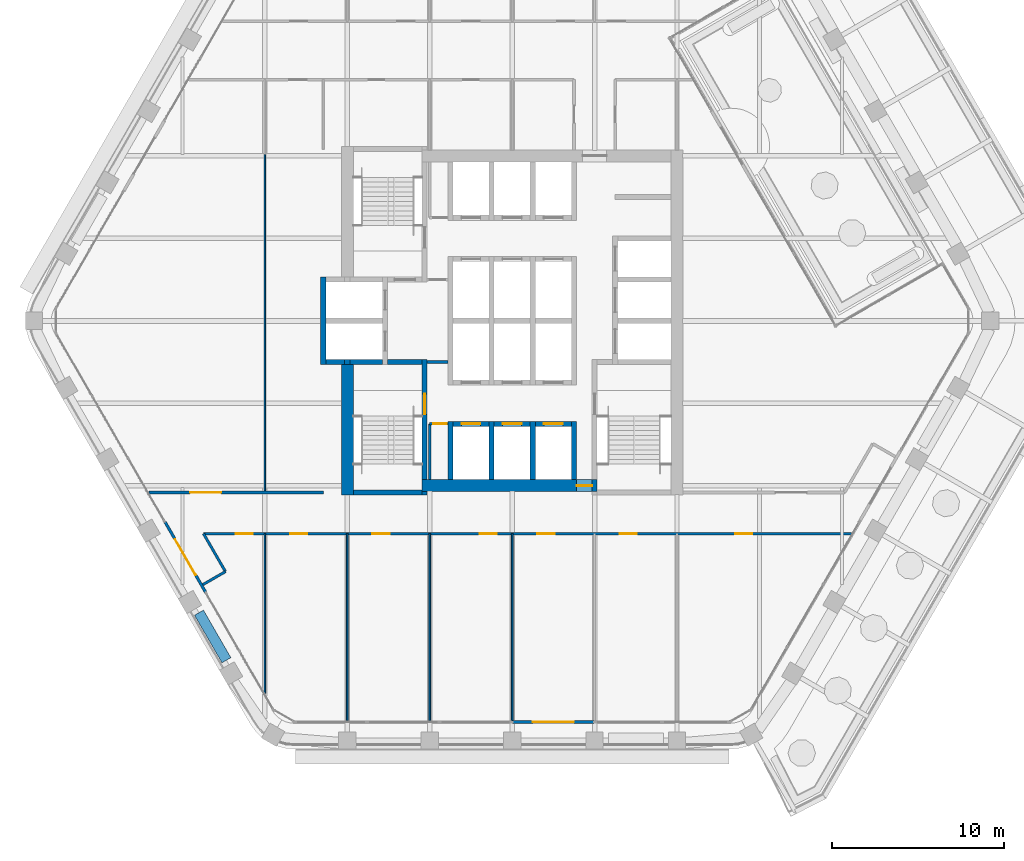
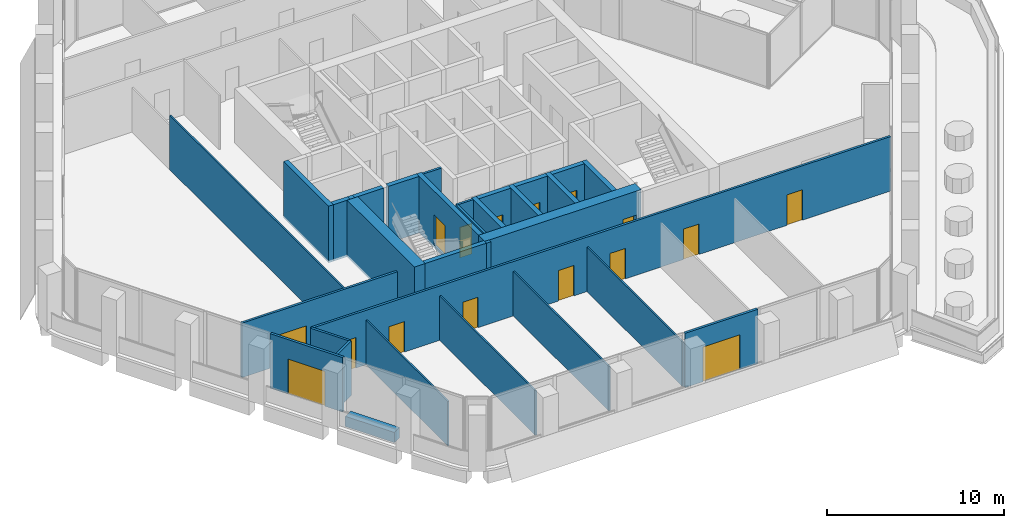
# One storey, part 11 of 17: 32 walls, 16 doors, 16 openings.
"""IFC4 building model written with IfcOpenShell, lengths in metres."""

from ifc_helpers import new_model, si_unit, direction, frame, frame_2d, origin, place, context, subcontext, project, spatial, rectangle, extrude, material, layer, layer_set, type_object, element, fill, save


model = new_model("IFC4")

# Units and contexts
model_context = context("Model", 3, precision=1e-05, world=origin(), true_north=direction((0.0, 1.0)))
body_context = subcontext(model_context, "Body", "Model", "MODEL_VIEW")
ifc_project = project(units=[si_unit("LENGTHUNIT", "METRE"), si_unit("AREAUNIT", "SQUARE_METRE"), si_unit("VOLUMEUNIT", "CUBIC_METRE"), si_unit("PLANEANGLEUNIT", "RADIAN"), si_unit("MASSUNIT", "GRAM", prefix="KILO")], contexts=[model_context])

# Site, building, storey
site_placement = place(None, origin())
site = spatial("IfcSite", under=ifc_project, at=site_placement, CompositionType="ELEMENT")
building_placement = place(site_placement, origin())
building = spatial("IfcBuilding", under=site, at=building_placement, Name="Kolab Exchange Tower", CompositionType="ELEMENT")
storey_placement = place(building_placement, frame((0.0, 0.0, 181.699951171875)))
storey = spatial("IfcBuildingStorey", under=building, at=storey_placement, Name="L38", CompositionType="ELEMENT", Elevation=181.699951171875)

# Wall, opening, door
ifc_material_1 = material(Name="Concrete C60/75", Category="concrete")
ifc_layer_1 = layer(ifc_material_1, 0.699951171875)
ifc_layer_set_1 = layer_set([ifc_layer_1], Name="Concrete C60/75")
wall_type_1 = type_object("IfcWallType", Name="CORE WALL 700 C60/75", PredefinedType="SHEAR", material=ifc_layer_set_1)
wall_1_placement = place(storey_placement, frame((-5.25, -9.60009765625, -0.14990234375), z_axis=(0.0, 0.0, 1.0), x_axis=(1.0, 0.0, 0.0)))
wall_1 = element("IfcWall", 1, at=wall_1_placement, inside=storey, type_object=wall_type_1, Name="wall/L38/core/002", PredefinedType="SHEAR", context=body_context, shape_type="SweptSolid", body=[
    extrude(rectangle(XDim=10.199951171875, YDim=0.699951171875, at=frame_2d((5.10009765625, 0.0))), origin(), (0.0, 0.0, 1.0), 3.89990234375),
])
opening_1_placement = place(wall_1_placement, frame((9.0, 0.0, 0.14990234375)))
opening_1 = element("IfcOpeningElement", 2, at=opening_1_placement, cuts=wall_1, Name="Opening D6-287", PredefinedType="OPENING", context=body_context, shape_type="SweptSolid", body=[
    extrude(rectangle(XDim=0.89990234375, YDim=2.10009765625, at=frame_2d((0.449951171875, 1.050048828125))), frame((0.0, 0.35986328125, 0.0), z_axis=(0.0, -1.0, 0.0), x_axis=(1.0, 0.0, 0.0)), (0.0, 0.0, 1.0), 0.719970703125),
])
ifc_material_2 = material(Name="Steel S235", Category="steel")
door_type_1 = type_object("IfcDoorType", Name="CORE DOOR 900 EI 120", OperationType="SINGLE_SWING_LEFT", PredefinedType="DOOR", material=ifc_material_2)
door_1_placement = place(opening_1_placement, origin())
door_1 = element("IfcDoor", 3, at=door_1_placement, inside=storey, type_object=door_type_1, Name="Core lobby door", OperationType="SINGLE_SWING_LEFT", OverallHeight=2.10009765625, OverallWidth=0.89990234375, PredefinedType="DOOR", context=body_context, shape_type="SweptSolid", body=[
    extrude(rectangle(XDim=0.89990234375, YDim=2.10009765625, at=frame_2d((0.449951171875, 1.050048828125))), frame((0.0, 0.02490234375, 0.0), z_axis=(0.0, -1.0, 0.0), x_axis=(1.0, 0.0, 0.0)), (0.0, 0.0, 1.0), 0.050048828125),
])
fill(opening_1, door_1)

# Wall
wall_2_placement = place(storey_placement, frame((-9.60009765625, -10.14990234375, -0.14990234375), z_axis=(0.0, 0.0, 1.0), x_axis=(0.0, 1.0, 0.0)))
element("IfcWall", 4, at=wall_2_placement, inside=storey, type_object=wall_type_1, Name="wall/L38/core/034", PredefinedType="SHEAR", context=body_context, shape_type="SweptSolid", body=[
    extrude(rectangle(XDim=7.599853515625, YDim=0.699951171875, at=frame_2d((3.7998046875, 0.0))), origin(), (0.0, 0.0, 1.0), 3.89990234375),
])

# Wall, opening, door
ifc_material_3 = material(Name="Aluminium EN AW-6063 T6", Category="aluminium")
ifc_layer_2 = layer(ifc_material_3, 0.159912109375)
ifc_layer_set_2 = layer_set([ifc_layer_2], Name="Aluminium EN AW-6063 T6")
wall_type_2 = type_object("IfcWallType", Name="DOOR SURROUND WALL 160 ALUMINIUM FRAMED", PredefinedType="PARTITIONING", material=ifc_layer_set_2)
wall_3_placement = place(storey_placement, frame((4.77001953125, -23.361572265625, 0.0), z_axis=(0.0, 0.0, 1.0), x_axis=(-1.0, 0.0, 0.0)))
wall_3 = element("IfcWall", 5, at=wall_3_placement, inside=storey, type_object=wall_type_2, Name="Door surround wall", PredefinedType="PARTITIONING", context=body_context, shape_type="SweptSolid", body=[
    extrude(rectangle(XDim=4.739990234375, YDim=0.159912109375, at=frame_2d((2.3701171875, 0.0))), origin(), (0.0, 0.0, 1.0), 3.75),
])
opening_2_placement = place(wall_3_placement, frame((1.169921875, 0.0, 0.0)))
opening_2 = element("IfcOpeningElement", 6, at=opening_2_placement, cuts=wall_3, Name="Opening GD1-067", PredefinedType="OPENING", context=body_context, shape_type="SweptSolid", body=[
    extrude(rectangle(XDim=2.39990234375, YDim=2.39990234375, at=frame_2d((1.199951171875, 1.199951171875))), frame((0.0, 0.08984375, 0.0), z_axis=(0.0, -1.0, 0.0), x_axis=(1.0, 0.0, 0.0)), (0.0, 0.0, 1.0), 0.179931640625),
])
door_type_2 = type_object("IfcDoorType", Name="LOGGIA SLIDING GLASS DOOR 2400 X 2400", OperationType="DOUBLE_DOOR_SINGLE_SWING", PredefinedType="DOOR", material=ifc_material_3)
door_2_placement = place(opening_2_placement, origin())
door_2 = element("IfcDoor", 7, at=door_2_placement, inside=storey, type_object=door_type_2, Name="Loggia door", OperationType="DOUBLE_DOOR_SLIDING", OverallHeight=2.39990234375, OverallWidth=2.39990234375, PredefinedType="DOOR", context=body_context, shape_type="SweptSolid", body=[
    extrude(rectangle(XDim=2.39990234375, YDim=2.39990234375, at=frame_2d((1.199951171875, 1.199951171875))), frame((0.0, 0.02490234375, 0.0), z_axis=(0.0, -1.0, 0.0), x_axis=(1.0, 0.0, 0.0)), (0.0, 0.0, 1.0), 0.050048828125),
])
fill(opening_2, door_2)

wall_4_placement = place(storey_placement, frame((-17.8466796875, -15.811767578125, 0.0), z_axis=(0.0, 0.0, 1.0), x_axis=(-0.5000167099, 0.866015756104, 0.0)))
wall_4 = element("IfcWall", 8, at=wall_4_placement, inside=storey, type_object=wall_type_2, Name="Door surround wall", PredefinedType="PARTITIONING", context=body_context, shape_type="SweptSolid", body=[
    extrude(rectangle(XDim=4.739990234375, YDim=0.159912109375, at=frame_2d((2.3701171875, 0.0))), origin(), (0.0, 0.0, 1.0), 3.75),
])
opening_3_placement = place(wall_4_placement, frame((1.169921875, 0.0, 0.0)))
opening_3 = element("IfcOpeningElement", 9, at=opening_3_placement, cuts=wall_4, Name="Opening GD1-068", PredefinedType="OPENING", context=body_context, shape_type="SweptSolid", body=[
    extrude(rectangle(XDim=2.39990234375, YDim=2.39990234375, at=frame_2d((1.199951171875, 1.199951171875))), frame((0.0, 0.08984375, 0.0), z_axis=(0.0, -1.0, 0.0), x_axis=(1.0, 0.0, 0.0)), (0.0, 0.0, 1.0), 0.179931640625),
])
door_3_placement = place(opening_3_placement, origin())
door_3 = element("IfcDoor", 10, at=door_3_placement, inside=storey, type_object=door_type_2, Name="Loggia door", OperationType="DOUBLE_DOOR_SLIDING", OverallHeight=2.39990234375, OverallWidth=2.39990234375, PredefinedType="DOOR", context=body_context, shape_type="SweptSolid", body=[
    extrude(rectangle(XDim=2.39990234375, YDim=2.39990234375, at=frame_2d((1.199951171875, 1.199951171875))), frame((0.0, 0.02490234375, 0.0), z_axis=(0.0, -1.0, 0.0), x_axis=(1.0, 0.0, 0.0)), (0.0, 0.0, 1.0), 0.050048828125),
])
fill(opening_3, door_3)

ifc_material_4 = material(Name="Concrete C50/60", Category="concrete")
ifc_layer_3 = layer(ifc_material_4, 0.300048828125)
ifc_layer_set_3 = layer_set([ifc_layer_3], Name="Concrete C50/60")
wall_type_3 = type_object("IfcWallType", Name="LIFT SHAFT WALL 300 C50/60", PredefinedType="STANDARD", material=ifc_layer_set_3)
wall_5_placement = place(storey_placement, frame((-3.449951171875, -6.0, -0.14990234375), z_axis=(0.0, 0.0, 1.0), x_axis=(1.0, 0.0, 0.0)))
wall_5 = element("IfcWall", 11, at=wall_5_placement, inside=storey, type_object=wall_type_3, Name="wall/L38/core/003", PredefinedType="STANDARD", context=body_context, shape_type="SweptSolid", body=[
    extrude(rectangle(XDim=2.099853515625, YDim=0.300048828125, at=frame_2d((1.0498046875, 0.0))), origin(), (0.0, 0.0, 1.0), 3.89990234375),
])
opening_4_placement = place(wall_5_placement, frame((0.5, 0.0, 0.14990234375)))
opening_4 = element("IfcOpeningElement", 12, at=opening_4_placement, cuts=wall_5, Name="Opening LD1-110", PredefinedType="OPENING", context=body_context, shape_type="SweptSolid", body=[
    extrude(rectangle(XDim=1.10009765625, YDim=2.10009765625, at=frame_2d((0.550048828125, 1.050048828125))), frame((0.0, 0.16015625, 0.0), z_axis=(0.0, -1.0, 0.0), x_axis=(1.0, 0.0, 0.0)), (0.0, 0.0, 1.0), 0.320068359375),
])
ifc_material_5 = material(Name="Stainless steel 316", Category="steel")
door_type_3 = type_object("IfcDoorType", Name="LANDING DOOR 1100 PASSENGER", OperationType="DOUBLE_DOOR_SLIDING", PredefinedType="DOOR", material=ifc_material_5)
door_4_placement = place(opening_4_placement, origin())
door_4 = element("IfcDoor", 13, at=door_4_placement, inside=storey, type_object=door_type_3, Name="Landing door HR10", OperationType="DOUBLE_DOOR_SLIDING", OverallHeight=2.10009765625, OverallWidth=1.10009765625, PredefinedType="DOOR", context=body_context, shape_type="SweptSolid", body=[
    extrude(rectangle(XDim=1.10009765625, YDim=2.10009765625, at=frame_2d((0.550048828125, 1.050048828125))), frame((0.0, 0.02490234375, 0.0), z_axis=(0.0, -1.0, 0.0), x_axis=(1.0, 0.0, 0.0)), (0.0, 0.0, 1.0), 0.050048828125),
])
fill(opening_4, door_4)

wall_6_placement = place(storey_placement, frame((-1.050048828125, -6.0, -0.14990234375), z_axis=(0.0, 0.0, 1.0), x_axis=(1.0, 0.0, 0.0)))
wall_6 = element("IfcWall", 14, at=wall_6_placement, inside=storey, type_object=wall_type_3, Name="wall/L38/core/004", PredefinedType="STANDARD", context=body_context, shape_type="SweptSolid", body=[
    extrude(rectangle(XDim=2.10009765625, YDim=0.300048828125, at=frame_2d((1.050048828125, 0.0))), origin(), (0.0, 0.0, 1.0), 3.89990234375),
])
opening_5_placement = place(wall_6_placement, frame((0.5, 0.0, 0.14990234375)))
opening_5 = element("IfcOpeningElement", 15, at=opening_5_placement, cuts=wall_6, Name="Opening LD1-111", PredefinedType="OPENING", context=body_context, shape_type="SweptSolid", body=[
    extrude(rectangle(XDim=1.10009765625, YDim=2.10009765625, at=frame_2d((0.550048828125, 1.050048828125))), frame((0.0, 0.16015625, 0.0), z_axis=(0.0, -1.0, 0.0), x_axis=(1.0, 0.0, 0.0)), (0.0, 0.0, 1.0), 0.320068359375),
])
door_5_placement = place(opening_5_placement, origin())
door_5 = element("IfcDoor", 16, at=door_5_placement, inside=storey, type_object=door_type_3, Name="Landing door HR11", OperationType="DOUBLE_DOOR_SLIDING", OverallHeight=2.10009765625, OverallWidth=1.10009765625, PredefinedType="DOOR", context=body_context, shape_type="SweptSolid", body=[
    extrude(rectangle(XDim=1.10009765625, YDim=2.10009765625, at=frame_2d((0.550048828125, 1.050048828125))), frame((0.0, 0.02490234375, 0.0), z_axis=(0.0, -1.0, 0.0), x_axis=(1.0, 0.0, 0.0)), (0.0, 0.0, 1.0), 0.050048828125),
])
fill(opening_5, door_5)

wall_7_placement = place(storey_placement, frame((1.35009765625, -6.0, -0.14990234375), z_axis=(0.0, 0.0, 1.0), x_axis=(1.0, 0.0, 0.0)))
wall_7 = element("IfcWall", 17, at=wall_7_placement, inside=storey, type_object=wall_type_3, Name="wall/L38/core/005", PredefinedType="STANDARD", context=body_context, shape_type="SweptSolid", body=[
    extrude(rectangle(XDim=2.099853515625, YDim=0.300048828125, at=frame_2d((1.0498046875, 0.0))), origin(), (0.0, 0.0, 1.0), 3.89990234375),
])
opening_6_placement = place(wall_7_placement, frame((0.5, 0.0, 0.14990234375)))
opening_6 = element("IfcOpeningElement", 18, at=opening_6_placement, cuts=wall_7, Name="Opening LD1-112", PredefinedType="OPENING", context=body_context, shape_type="SweptSolid", body=[
    extrude(rectangle(XDim=1.10009765625, YDim=2.10009765625, at=frame_2d((0.550048828125, 1.050048828125))), frame((0.0, 0.16015625, 0.0), z_axis=(0.0, -1.0, 0.0), x_axis=(1.0, 0.0, 0.0)), (0.0, 0.0, 1.0), 0.320068359375),
])
door_6_placement = place(opening_6_placement, origin())
door_6 = element("IfcDoor", 19, at=door_6_placement, inside=storey, type_object=door_type_3, Name="Landing door HR12", OperationType="DOUBLE_DOOR_SLIDING", OverallHeight=2.10009765625, OverallWidth=1.10009765625, PredefinedType="DOOR", context=body_context, shape_type="SweptSolid", body=[
    extrude(rectangle(XDim=1.10009765625, YDim=2.10009765625, at=frame_2d((0.550048828125, 1.050048828125))), frame((0.0, 0.02490234375, 0.0), z_axis=(0.0, -1.0, 0.0), x_axis=(1.0, 0.0, 0.0)), (0.0, 0.0, 1.0), 0.050048828125),
])
fill(opening_6, door_6)

# Walls
wall_8_placement = place(storey_placement, frame((-10.85009765625, -2.39990234375, -0.14990234375), z_axis=(0.0, 0.0, 1.0), x_axis=(1.0, 0.0, 0.0)))
element("IfcWall", 20, at=wall_8_placement, inside=storey, type_object=wall_type_3, Name="wall/L38/core/009", PredefinedType="STANDARD", context=body_context, shape_type="SweptSolid", body=[
    extrude(rectangle(XDim=1.10009765625, YDim=0.300048828125, at=frame_2d((0.550048828125, 0.0))), origin(), (0.0, 0.0, 1.0), 3.89990234375),
])
wall_9_placement = place(storey_placement, frame((-11.0, -2.550048828125, -0.14990234375), z_axis=(0.0, 0.0, 1.0), x_axis=(0.0, 1.0, 0.0)))
element("IfcWall", 21, at=wall_9_placement, inside=storey, type_object=wall_type_3, Name="wall/L38/core/033", PredefinedType="STANDARD", context=body_context, shape_type="SweptSolid", body=[
    extrude(rectangle(XDim=5.10009765625, YDim=0.300048828125, at=frame_2d((2.550048828125, 0.0))), origin(), (0.0, 0.0, 1.0), 3.89990234375),
])
for number, where, z_axis, x_axis, name in (
    (22, (-3.60009765625, -9.25, -0.14990234375), (0.0, 0.0, 1.0), (0.0, 1.0, 0.0), "wall/L38/core/043"),
    (23, (-1.199951171875, -9.25, -0.14990234375), (0.0, 0.0, 1.0), (0.0, 1.0, 0.0), "wall/L38/core/046"),
    (24, (1.199951171875, -9.25, -0.14990234375), (0.0, 0.0, 1.0), (0.0, 1.0, 0.0), "wall/L38/core/049"),
    (25, (3.60009765625, -9.25, -0.14990234375), (0.0, 0.0, 1.0), (0.0, 1.0, 0.0), "wall/L38/core/052"),
):
    element("IfcWall", number, at=place(storey_placement, frame(where, z_axis=z_axis, x_axis=x_axis)), inside=storey, type_object=wall_type_3, Name=name, PredefinedType="STANDARD", context=body_context, shape_type="SweptSolid", body=[
        extrude(rectangle(XDim=3.39990234375, YDim=0.300048828125, at=frame_2d((1.699951171875, 0.0))), origin(), (0.0, 0.0, 1.0), 3.89990234375),
    ])
ifc_material_6 = material(Name="Gypsum board", Category="gypsum")
ifc_layer_4 = layer(ifc_material_6, 0.10009765625)
ifc_layer_set_4 = layer_set([ifc_layer_4], Name="Gypsum board")
wall_type_4 = type_object("IfcWallType", Name="PARTITION 100", PredefinedType="PARTITIONING", material=ifc_layer_set_4)
wall_10_placement = place(storey_placement, frame((0.0, -23.281494140625, 0.0), z_axis=(0.0, 0.0, 1.0), x_axis=(0.0, 1.0, 0.0)))
element("IfcWall", 26, at=wall_10_placement, inside=storey, type_object=wall_type_4, Name="Partition 006", PredefinedType="PARTITIONING", context=body_context, shape_type="SweptSolid", body=[
    extrude(rectangle(XDim=10.881591796875, YDim=0.10009765625, at=frame_2d((5.44091796875, 0.0))), origin(), (0.0, 0.0, 1.0), 3.066162109375),
])
for number, where, z_axis, x_axis, name in (
    (27, (-4.800048828125, -23.271484375, 0.0), (0.0, 0.0, 1.0), (0.0, 1.0, 0.0), "Partition 009"),
    (28, (-9.60009765625, -23.271484375, 0.0), (0.0, 0.0, 1.0), (0.0, 1.0, 0.0), "Partition 014"),
):
    element("IfcWall", number, at=place(storey_placement, frame(where, z_axis=z_axis, x_axis=x_axis)), inside=storey, type_object=wall_type_4, Name=name, PredefinedType="PARTITIONING", context=body_context, shape_type="SweptSolid", body=[
        extrude(rectangle(XDim=10.87158203125, YDim=0.10009765625, at=frame_2d((5.435791015625, 0.0))), origin(), (0.0, 0.0, 1.0), 3.066162109375),
    ])
wall_11_placement = place(storey_placement, frame((-14.39990234375, -21.701416015625, 0.0), z_axis=(0.0, 0.0, 1.0), x_axis=(0.0, 1.0, 0.0)))
element("IfcWall", 29, at=wall_11_placement, inside=storey, type_object=wall_type_4, Name="Partition 017", PredefinedType="PARTITIONING", context=body_context, shape_type="SweptSolid", body=[
    extrude(rectangle(XDim=9.301513671875, YDim=0.10009765625, at=frame_2d((4.65087890625, 0.0))), origin(), (0.0, 0.0, 1.0), 3.066162109375),
])
wall_12_placement = place(storey_placement, frame((-14.39990234375, -10.0, 0.0), z_axis=(0.0, 0.0, 1.0), x_axis=(0.0, 1.0, 0.0)))
element("IfcWall", 30, at=wall_12_placement, inside=storey, type_object=wall_type_4, Name="Partition 018", PredefinedType="PARTITIONING", context=body_context, shape_type="SweptSolid", body=[
    extrude(rectangle(XDim=19.693603515625, YDim=0.10009765625, at=frame_2d((9.8466796875, 0.0))), origin(), (0.0, 0.0, 1.0), 3.75),
])
ifc_layer_5 = layer(ifc_material_6, 0.14990234375)
ifc_layer_set_5 = layer_set([ifc_layer_5], Name="Gypsum board")
wall_type_5 = type_object("IfcWallType", Name="PARTITION 150 FIRE-RATED", PredefinedType="PARTITIONING", material=ifc_layer_set_5)
wall_13_placement = place(storey_placement, frame((-4.800048828125, -9.25, 0.0), z_axis=(0.0, 0.0, 1.0), x_axis=(0.0, 1.0, 0.0)))
element("IfcWall", 31, at=wall_13_placement, inside=storey, type_object=wall_type_5, Name="Partition 012", PredefinedType="PARTITIONING", context=body_context, shape_type="SweptSolid", body=[
    extrude(rectangle(XDim=3.25, YDim=0.14990234375, at=frame_2d((1.625, 0.0))), origin(), (0.0, 0.0, 1.0), 3.75),
])
wall_14_placement = place(storey_placement, frame((-17.968994140625, -12.39990234375, 0.0), z_axis=(0.0, 0.0, 1.0), x_axis=(0.499996383721, -0.866027491634, 0.0)))
element("IfcWall", 32, at=wall_14_placement, inside=storey, type_object=wall_type_5, Name="Partition 019", PredefinedType="PARTITIONING", context=body_context, shape_type="SweptSolid", body=[
    extrude(rectangle(XDim=2.5458984375, YDim=0.14990234375, at=frame_2d((1.27294921875, 0.0))), origin(), (0.0, 0.0, 1.0), 3.75),
])
wall_15_placement = place(storey_placement, frame((-18.012451171875, -15.36474609375, 0.0), z_axis=(0.0, 0.0, 1.0), x_axis=(0.866030456496, 0.499991248344, 0.0)))
element("IfcWall", 33, at=wall_15_placement, inside=storey, type_object=wall_type_5, Name="Partition 022", PredefinedType="PARTITIONING", context=body_context, shape_type="SweptSolid", body=[
    extrude(rectangle(XDim=1.52001953125, YDim=0.14990234375, at=frame_2d((0.760009765625, 0.0))), origin(), (0.0, 0.0, 1.0), 3.75),
])

# Wall, openings, doors
wall_16_placement = place(storey_placement, frame((-17.968994140625, -12.39990234375, 0.0), z_axis=(0.0, 0.0, 1.0), x_axis=(1.0, 0.0, 0.0)))
wall_16 = element("IfcWall", 34, at=wall_16_placement, inside=storey, type_object=wall_type_5, Name="Partition 023", PredefinedType="PARTITIONING", context=body_context, shape_type="SweptSolid", body=[
    extrude(rectangle(XDim=37.7392578125, YDim=0.14990234375, at=frame_2d((18.86962890625, 0.0))), origin(), (0.0, 0.0, 1.0), 3.75),
])
opening_7_placement = place(wall_16_placement, frame((1.86865234375, 0.0, 0.0)))
opening_7 = element("IfcOpeningElement", 35, at=opening_7_placement, cuts=wall_16, Name="Opening D1-511", PredefinedType="OPENING", context=body_context, shape_type="SweptSolid", body=[
    extrude(rectangle(XDim=1.0, YDim=2.10009765625, at=frame_2d((0.5, 1.050048828125))), frame((0.0, 0.0849609375, 0.0), z_axis=(0.0, -1.0, 0.0), x_axis=(1.0, 0.0, 0.0)), (0.0, 0.0, 1.0), 0.169921875),
])
opening_8_placement = place(wall_16_placement, frame((5.033935546875, 0.0, 0.0)))
opening_8 = element("IfcOpeningElement", 36, at=opening_8_placement, cuts=wall_16, Name="Opening D1-512", PredefinedType="OPENING", context=body_context, shape_type="SweptSolid", body=[
    extrude(rectangle(XDim=1.0, YDim=2.10009765625, at=frame_2d((0.5, 1.050048828125))), frame((0.0, 0.0849609375, 0.0), z_axis=(0.0, -1.0, 0.0), x_axis=(1.0, 0.0, 0.0)), (0.0, 0.0, 1.0), 0.169921875),
])
opening_9_placement = place(wall_16_placement, frame((9.833984375, 0.0, 0.0)))
opening_9 = element("IfcOpeningElement", 37, at=opening_9_placement, cuts=wall_16, Name="Opening D1-513", PredefinedType="OPENING", context=body_context, shape_type="SweptSolid", body=[
    extrude(rectangle(XDim=1.0, YDim=2.10009765625, at=frame_2d((0.5, 1.050048828125))), frame((0.0, 0.0849609375, 0.0), z_axis=(0.0, -1.0, 0.0), x_axis=(1.0, 0.0, 0.0)), (0.0, 0.0, 1.0), 0.169921875),
])
opening_10_placement = place(wall_16_placement, frame((16.083984375, 0.0, 0.0)))
opening_10 = element("IfcOpeningElement", 38, at=opening_10_placement, cuts=wall_16, Name="Opening D1-514", PredefinedType="OPENING", context=body_context, shape_type="SweptSolid", body=[
    extrude(rectangle(XDim=1.0, YDim=2.10009765625, at=frame_2d((0.5, 1.050048828125))), frame((0.0, 0.0849609375, 0.0), z_axis=(0.0, -1.0, 0.0), x_axis=(1.0, 0.0, 0.0)), (0.0, 0.0, 1.0), 0.169921875),
])
opening_11_placement = place(wall_16_placement, frame((19.433837890625, 0.0, 0.0)))
opening_11 = element("IfcOpeningElement", 39, at=opening_11_placement, cuts=wall_16, Name="Opening D1-515", PredefinedType="OPENING", context=body_context, shape_type="SweptSolid", body=[
    extrude(rectangle(XDim=1.0, YDim=2.10009765625, at=frame_2d((0.5, 1.050048828125))), frame((0.0, 0.0849609375, 0.0), z_axis=(0.0, -1.0, 0.0), x_axis=(1.0, 0.0, 0.0)), (0.0, 0.0, 1.0), 0.169921875),
])
opening_12_placement = place(wall_16_placement, frame((24.23388671875, 0.0, 0.0)))
opening_12 = element("IfcOpeningElement", 40, at=opening_12_placement, cuts=wall_16, Name="Opening D1-516", PredefinedType="OPENING", context=body_context, shape_type="SweptSolid", body=[
    extrude(rectangle(XDim=1.0, YDim=2.10009765625, at=frame_2d((0.5, 1.050048828125))), frame((0.0, 0.0849609375, 0.0), z_axis=(0.0, -1.0, 0.0), x_axis=(1.0, 0.0, 0.0)), (0.0, 0.0, 1.0), 0.169921875),
])
opening_13_placement = place(wall_16_placement, frame((30.9619140625, 0.0, 0.0)))
opening_13 = element("IfcOpeningElement", 41, at=opening_13_placement, cuts=wall_16, Name="Opening D1-517", PredefinedType="OPENING", context=body_context, shape_type="SweptSolid", body=[
    extrude(rectangle(XDim=1.0, YDim=2.10009765625, at=frame_2d((0.5, 1.050048828125))), frame((0.0, 0.0849609375, 0.0), z_axis=(0.0, -1.0, 0.0), x_axis=(1.0, 0.0, 0.0)), (0.0, 0.0, 1.0), 0.169921875),
])
door_type_4 = type_object("IfcDoorType", Name="FLUSH DOOR 1000 FD60", OperationType="SINGLE_SWING_LEFT", PredefinedType="DOOR", material=ifc_material_2)
door_7_placement = place(opening_7_placement, frame((1.0, 0.0, 0.0), z_axis=(0.0, 0.0, 1.0), x_axis=(-1.0, 0.0, 0.0)))
door_7 = element("IfcDoor", 42, at=door_7_placement, inside=storey, type_object=door_type_4, Name="Door L38-039", OperationType="SINGLE_SWING_RIGHT", OverallHeight=2.10009765625, OverallWidth=1.0, PredefinedType="DOOR", context=body_context, shape_type="SweptSolid", body=[
    extrude(rectangle(XDim=1.0, YDim=2.10009765625, at=frame_2d((0.5, 1.050048828125))), frame((0.0, 0.02490234375, 0.0), z_axis=(0.0, -1.0, 0.0), x_axis=(1.0, 0.0, 0.0)), (0.0, 0.0, 1.0), 0.050048828125),
])
fill(opening_7, door_7)
door_8_placement = place(opening_8_placement, frame((1.0, 0.0, 0.0), z_axis=(0.0, 0.0, 1.0), x_axis=(-1.0, 0.0, 0.0)))
door_8 = element("IfcDoor", 43, at=door_8_placement, inside=storey, type_object=door_type_4, Name="Door L38-040", OperationType="SINGLE_SWING_LEFT", OverallHeight=2.10009765625, OverallWidth=1.0, PredefinedType="DOOR", context=body_context, shape_type="SweptSolid", body=[
    extrude(rectangle(XDim=1.0, YDim=2.10009765625, at=frame_2d((0.5, 1.050048828125))), frame((0.0, 0.02490234375, 0.0), z_axis=(0.0, -1.0, 0.0), x_axis=(1.0, 0.0, 0.0)), (0.0, 0.0, 1.0), 0.050048828125),
])
fill(opening_8, door_8)
door_9_placement = place(opening_9_placement, frame((1.0, 0.0, 0.0), z_axis=(0.0, 0.0, 1.0), x_axis=(-1.0, 0.0, 0.0)))
door_9 = element("IfcDoor", 44, at=door_9_placement, inside=storey, type_object=door_type_4, Name="Door L38-041", OperationType="SINGLE_SWING_LEFT", OverallHeight=2.10009765625, OverallWidth=1.0, PredefinedType="DOOR", context=body_context, shape_type="SweptSolid", body=[
    extrude(rectangle(XDim=1.0, YDim=2.10009765625, at=frame_2d((0.5, 1.050048828125))), frame((0.0, 0.02490234375, 0.0), z_axis=(0.0, -1.0, 0.0), x_axis=(1.0, 0.0, 0.0)), (0.0, 0.0, 1.0), 0.050048828125),
])
fill(opening_9, door_9)
door_10_placement = place(opening_10_placement, frame((1.0, 0.0, 0.0), z_axis=(0.0, 0.0, 1.0), x_axis=(-1.0, 0.0, 0.0)))
door_10 = element("IfcDoor", 45, at=door_10_placement, inside=storey, type_object=door_type_4, Name="Door L38-042", OperationType="SINGLE_SWING_RIGHT", OverallHeight=2.10009765625, OverallWidth=1.0, PredefinedType="DOOR", context=body_context, shape_type="SweptSolid", body=[
    extrude(rectangle(XDim=1.0, YDim=2.10009765625, at=frame_2d((0.5, 1.050048828125))), frame((0.0, 0.02490234375, 0.0), z_axis=(0.0, -1.0, 0.0), x_axis=(1.0, 0.0, 0.0)), (0.0, 0.0, 1.0), 0.050048828125),
])
fill(opening_10, door_10)
door_11_placement = place(opening_11_placement, frame((1.0, 0.0, 0.0), z_axis=(0.0, 0.0, 1.0), x_axis=(-1.0, 0.0, 0.0)))
door_11 = element("IfcDoor", 46, at=door_11_placement, inside=storey, type_object=door_type_4, Name="Door L38-043", OperationType="SINGLE_SWING_LEFT", OverallHeight=2.10009765625, OverallWidth=1.0, PredefinedType="DOOR", context=body_context, shape_type="SweptSolid", body=[
    extrude(rectangle(XDim=1.0, YDim=2.10009765625, at=frame_2d((0.5, 1.050048828125))), frame((0.0, 0.02490234375, 0.0), z_axis=(0.0, -1.0, 0.0), x_axis=(1.0, 0.0, 0.0)), (0.0, 0.0, 1.0), 0.050048828125),
])
fill(opening_11, door_11)
door_12_placement = place(opening_12_placement, frame((1.0, 0.0, 0.0), z_axis=(0.0, 0.0, 1.0), x_axis=(-1.0, 0.0, 0.0)))
door_12 = element("IfcDoor", 47, at=door_12_placement, inside=storey, type_object=door_type_4, Name="Door L38-044", OperationType="SINGLE_SWING_LEFT", OverallHeight=2.10009765625, OverallWidth=1.0, PredefinedType="DOOR", context=body_context, shape_type="SweptSolid", body=[
    extrude(rectangle(XDim=1.0, YDim=2.10009765625, at=frame_2d((0.5, 1.050048828125))), frame((0.0, 0.02490234375, 0.0), z_axis=(0.0, -1.0, 0.0), x_axis=(1.0, 0.0, 0.0)), (0.0, 0.0, 1.0), 0.050048828125),
])
fill(opening_12, door_12)
door_13_placement = place(opening_13_placement, frame((1.0, 0.0, 0.0), z_axis=(0.0, 0.0, 1.0), x_axis=(-1.0, 0.0, 0.0)))
door_13 = element("IfcDoor", 48, at=door_13_placement, inside=storey, type_object=door_type_4, Name="Door L38-045", OperationType="SINGLE_SWING_LEFT", OverallHeight=2.10009765625, OverallWidth=1.0, PredefinedType="DOOR", context=body_context, shape_type="SweptSolid", body=[
    extrude(rectangle(XDim=1.0, YDim=2.10009765625, at=frame_2d((0.5, 1.050048828125))), frame((0.0, 0.02490234375, 0.0), z_axis=(0.0, -1.0, 0.0), x_axis=(1.0, 0.0, 0.0)), (0.0, 0.0, 1.0), 0.050048828125),
])
fill(opening_13, door_13)

# Wall, opening, door
wall_17_placement = place(storey_placement, frame((-21.156005859375, -10.0, 0.0), z_axis=(0.0, 0.0, 1.0), x_axis=(1.0, 0.0, 0.0)))
wall_17 = element("IfcWall", 49, at=wall_17_placement, inside=storey, type_object=wall_type_5, Name="Partition 024", PredefinedType="PARTITIONING", context=body_context, shape_type="SweptSolid", body=[
    extrude(rectangle(XDim=10.156005859375, YDim=0.14990234375, at=frame_2d((5.078125, 0.0))), origin(), (0.0, 0.0, 1.0), 3.75),
])
opening_14_placement = place(wall_17_placement, frame((2.40869140625, 0.0, 0.0)))
opening_14 = element("IfcOpeningElement", 50, at=opening_14_placement, cuts=wall_17, Name="Opening D2-054", PredefinedType="OPENING", context=body_context, shape_type="SweptSolid", body=[
    extrude(rectangle(XDim=1.800048828125, YDim=2.10009765625, at=frame_2d((0.89990234375, 1.050048828125))), frame((0.0, 0.0849609375, 0.0), z_axis=(0.0, -1.0, 0.0), x_axis=(1.0, 0.0, 0.0)), (0.0, 0.0, 1.0), 0.169921875),
])
door_type_5 = type_object("IfcDoorType", Name="DOUBLE DOOR 1800 FD60", OperationType="DOUBLE_DOOR_SINGLE_SWING", PredefinedType="DOOR", material=ifc_material_2)
door_14_placement = place(opening_14_placement, origin())
door_14 = element("IfcDoor", 51, at=door_14_placement, inside=storey, type_object=door_type_5, Name="Door L38-047", OperationType="SINGLE_SWING_RIGHT", OverallHeight=2.10009765625, OverallWidth=1.800048828125, PredefinedType="DOOR", context=body_context, shape_type="SweptSolid", body=[
    extrude(rectangle(XDim=1.800048828125, YDim=2.10009765625, at=frame_2d((0.89990234375, 1.050048828125))), frame((0.0, 0.02490234375, 0.0), z_axis=(0.0, -1.0, 0.0), x_axis=(1.0, 0.0, 0.0)), (0.0, 0.0, 1.0), 0.050048828125),
])
fill(opening_14, door_14)

wall_18_placement = place(storey_placement, frame((-4.800048828125, -6.0, 0.0), z_axis=(0.0, 0.0, 1.0), x_axis=(1.0, 0.0, 0.0)))
wall_18 = element("IfcWall", 52, at=wall_18_placement, inside=storey, type_object=wall_type_5, Name="Partition 026", PredefinedType="PARTITIONING", context=body_context, shape_type="SweptSolid", body=[
    extrude(rectangle(XDim=1.050048828125, YDim=0.14990234375, at=frame_2d((0.52490234375, 0.0))), origin(), (0.0, 0.0, 1.0), 3.75),
])
opening_15_placement = place(wall_18_placement, frame((0.199951171875, 0.0, 0.0)))
opening_15 = element("IfcOpeningElement", 53, at=opening_15_placement, cuts=wall_18, Name="Opening D7-034", PredefinedType="OPENING", context=body_context, shape_type="SweptSolid", body=[
    extrude(rectangle(XDim=0.800048828125, YDim=2.10009765625, at=frame_2d((0.39990234375, 1.050048828125))), frame((0.0, 0.0849609375, 0.0), z_axis=(0.0, -1.0, 0.0), x_axis=(1.0, 0.0, 0.0)), (0.0, 0.0, 1.0), 0.169921875),
])
door_type_6 = type_object("IfcDoorType", Name="FLUSH DOOR 800 FD60", OperationType="SINGLE_SWING_LEFT", PredefinedType="DOOR", material=ifc_material_2)
door_15_placement = place(opening_15_placement, frame((0.800048828125, 0.0, 0.0), z_axis=(0.0, 0.0, 1.0), x_axis=(-1.0, 0.0, 0.0)))
door_15 = element("IfcDoor", 54, at=door_15_placement, inside=storey, type_object=door_type_6, Name="Door L38-024", OperationType="SINGLE_SWING_RIGHT", OverallHeight=2.10009765625, OverallWidth=0.800048828125, PredefinedType="DOOR", context=body_context, shape_type="SweptSolid", body=[
    extrude(rectangle(XDim=0.800048828125, YDim=2.10009765625, at=frame_2d((0.39990234375, 1.050048828125))), frame((0.0, 0.02490234375, 0.0), z_axis=(0.0, -1.0, 0.0), x_axis=(1.0, 0.0, 0.0)), (0.0, 0.0, 1.0), 0.050048828125),
])
fill(opening_15, door_15)

# Walls
wall_19_placement = place(storey_placement, frame((-4.949951171875, -2.39990234375, 0.0), z_axis=(0.0, 0.0, 1.0), x_axis=(1.0, 0.0, 0.0)))
element("IfcWall", 55, at=wall_19_placement, inside=storey, type_object=wall_type_5, Name="Fire partition", PredefinedType="PARTITIONING", context=body_context, shape_type="SweptSolid", body=[
    extrude(rectangle(XDim=1.199951171875, YDim=0.14990234375, at=frame_2d((0.60009765625, 0.0))), origin(), (0.0, 0.0, 1.0), 3.75),
])
ifc_material_7 = material(Name="Granite facing", Category="masonry")
ifc_layer_6 = layer(ifc_material_7, 0.0400390625)
ifc_material_8 = material(Name="Concrete C40/50 precast", Category="concrete")
ifc_layer_7 = layer(ifc_material_8, 0.56005859375)
ifc_layer_set_6 = layer_set([ifc_layer_6, ifc_layer_7], Name="Concrete C40/50 precast")
wall_type_6 = type_object("IfcWallType", Name="PLANTER BOX 600 X 700 SOIL DEPTH 550", PredefinedType="USERDEFINED", material=ifc_layer_set_6)
wall_20_placement = place(storey_placement, frame((-16.636962890625, -19.766845703125, 0.0), z_axis=(0.0, 0.0, 1.0), x_axis=(-0.500028443584, 0.866008981251, 0.0)))
element("IfcWall", 56, at=wall_20_placement, inside=storey, type_object=wall_type_6, Name="Planter", ObjectType="PLANTER", PredefinedType="USERDEFINED", context=body_context, shape_type="SweptSolid", body=[
    extrude(rectangle(XDim=3.199951171875, YDim=0.60009765625, at=frame_2d((1.60009765625, 0.0))), origin(), (0.0, 0.0, 1.0), 0.699951171875),
])
ifc_layer_8 = layer(ifc_material_4, 0.300048828125)
ifc_layer_set_7 = layer_set([ifc_layer_8], Name="Concrete C50/60")
wall_type_7 = type_object("IfcWallType", Name="STAIR ENCLOSURE WALL 300 C50/60", PredefinedType="STANDARD", material=ifc_layer_set_7)
wall_21_placement = place(storey_placement, frame((-9.25, -10.0, -0.14990234375), z_axis=(0.0, 0.0, 1.0), x_axis=(1.0, 0.0, 0.0)))
element("IfcWall", 57, at=wall_21_placement, inside=storey, type_object=wall_type_7, Name="wall/L38/core/000", PredefinedType="STANDARD", context=body_context, shape_type="SweptSolid", body=[
    extrude(rectangle(XDim=4.0, YDim=0.300048828125, at=frame_2d((2.0, 0.0))), origin(), (0.0, 0.0, 1.0), 3.89990234375),
])
wall_22_placement = place(storey_placement, frame((-9.449951171875, -2.39990234375, -0.14990234375), z_axis=(0.0, 0.0, 1.0), x_axis=(1.0, 0.0, 0.0)))
element("IfcWall", 58, at=wall_22_placement, inside=storey, type_object=wall_type_7, Name="wall/L38/core/010", PredefinedType="STANDARD", context=body_context, shape_type="SweptSolid", body=[
    extrude(rectangle(XDim=1.89990234375, YDim=0.300048828125, at=frame_2d((0.949951171875, 0.0))), origin(), (0.0, 0.0, 1.0), 3.89990234375),
])
wall_23_placement = place(storey_placement, frame((-7.25, -2.39990234375, -0.14990234375), z_axis=(0.0, 0.0, 1.0), x_axis=(1.0, 0.0, 0.0)))
element("IfcWall", 59, at=wall_23_placement, inside=storey, type_object=wall_type_7, Name="wall/L38/core/011", PredefinedType="STANDARD", context=body_context, shape_type="SweptSolid", body=[
    extrude(rectangle(XDim=2.0, YDim=0.300048828125, at=frame_2d((1.0, 0.0))), origin(), (0.0, 0.0, 1.0), 3.89990234375),
])
wall_24_placement = place(storey_placement, frame((-9.60009765625, -2.550048828125, -0.14990234375), z_axis=(0.0, 0.0, 1.0), x_axis=(0.0, 1.0, 0.0)))
element("IfcWall", 60, at=wall_24_placement, inside=storey, type_object=wall_type_7, Name="wall/L38/core/035", PredefinedType="STANDARD", context=body_context, shape_type="SweptSolid", body=[
    extrude(rectangle(XDim=0.300048828125, YDim=0.300048828125, at=frame_2d((0.14990234375, 0.0))), origin(), (0.0, 0.0, 1.0), 3.89990234375),
])
wall_25_placement = place(storey_placement, frame((-5.10009765625, -10.14990234375, -0.14990234375), z_axis=(0.0, 0.0, 1.0), x_axis=(0.0, 1.0, 0.0)))
element("IfcWall", 61, at=wall_25_placement, inside=storey, type_object=wall_type_7, Name="wall/L38/core/039", PredefinedType="STANDARD", context=body_context, shape_type="SweptSolid", body=[
    extrude(rectangle(XDim=0.199951171875, YDim=0.300048828125, at=frame_2d((0.10009765625, 0.0))), origin(), (0.0, 0.0, 1.0), 3.89990234375),
])

# Wall, opening, door
wall_26_placement = place(storey_placement, frame((-5.10009765625, -9.25, -0.14990234375), z_axis=(0.0, 0.0, 1.0), x_axis=(0.0, 1.0, 0.0)))
wall_26 = element("IfcWall", 62, at=wall_26_placement, inside=storey, type_object=wall_type_7, Name="wall/L38/core/040", PredefinedType="STANDARD", context=body_context, shape_type="SweptSolid", body=[
    extrude(rectangle(XDim=7.0, YDim=0.300048828125, at=frame_2d((3.5, 0.0))), origin(), (0.0, 0.0, 1.0), 3.89990234375),
])
opening_16_placement = place(wall_26_placement, frame((3.800048828125, 0.0, 0.14990234375)))
opening_16 = element("IfcOpeningElement", 63, at=opening_16_placement, cuts=wall_26, Name="Opening D4-068", PredefinedType="OPENING", context=body_context, shape_type="SweptSolid", body=[
    extrude(rectangle(XDim=1.199951171875, YDim=2.10009765625, at=frame_2d((0.60009765625, 1.050048828125))), frame((0.0, 0.16015625, 0.0), z_axis=(0.0, -1.0, 0.0), x_axis=(1.0, 0.0, 0.0)), (0.0, 0.0, 1.0), 0.320068359375),
])
door_type_7 = type_object("IfcDoorType", Name="STAIR DOOR 1200 EI 120", OperationType="SINGLE_SWING_LEFT", PredefinedType="DOOR", material=ifc_material_2)
door_16_placement = place(opening_16_placement, origin())
door_16 = element("IfcDoor", 64, at=door_16_placement, inside=storey, type_object=door_type_7, Name="Stair 3 door", OperationType="SINGLE_SWING_RIGHT", OverallHeight=2.10009765625, OverallWidth=1.199951171875, PredefinedType="DOOR", context=body_context, shape_type="SweptSolid", body=[
    extrude(rectangle(XDim=1.199951171875, YDim=2.10009765625, at=frame_2d((0.60009765625, 1.050048828125))), frame((0.0, 0.02490234375, 0.0), z_axis=(0.0, -1.0, 0.0), x_axis=(1.0, 0.0, 0.0)), (0.0, 0.0, 1.0), 0.050048828125),
])
fill(opening_16, door_16)

save(model, "model.ifc")
